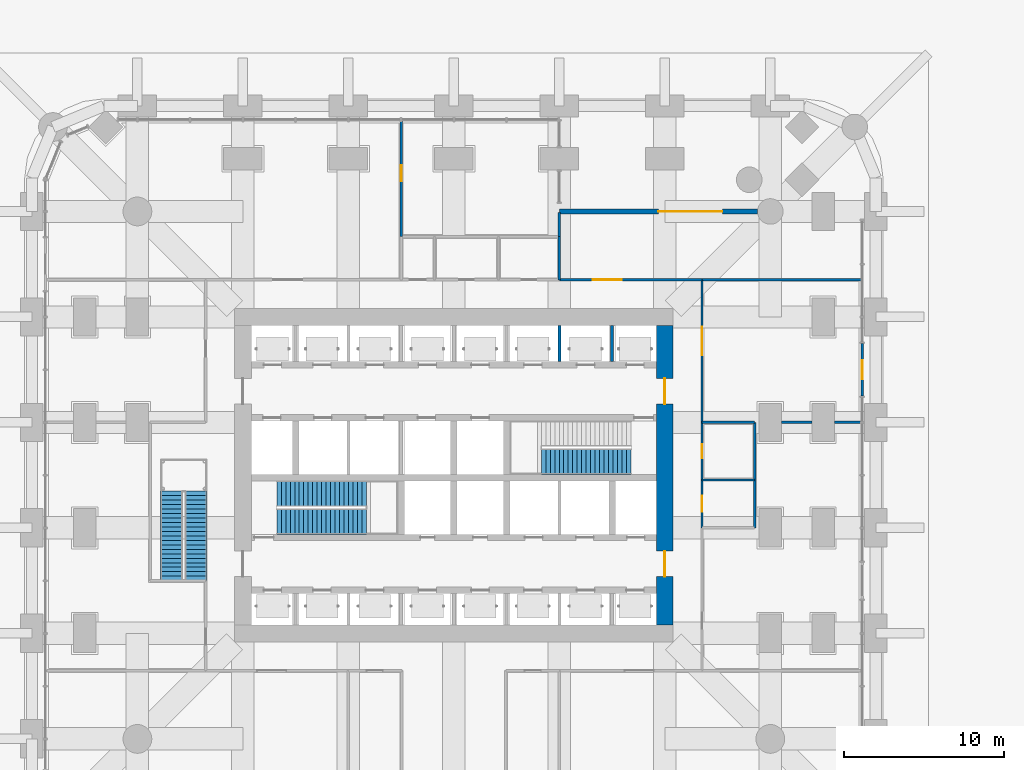
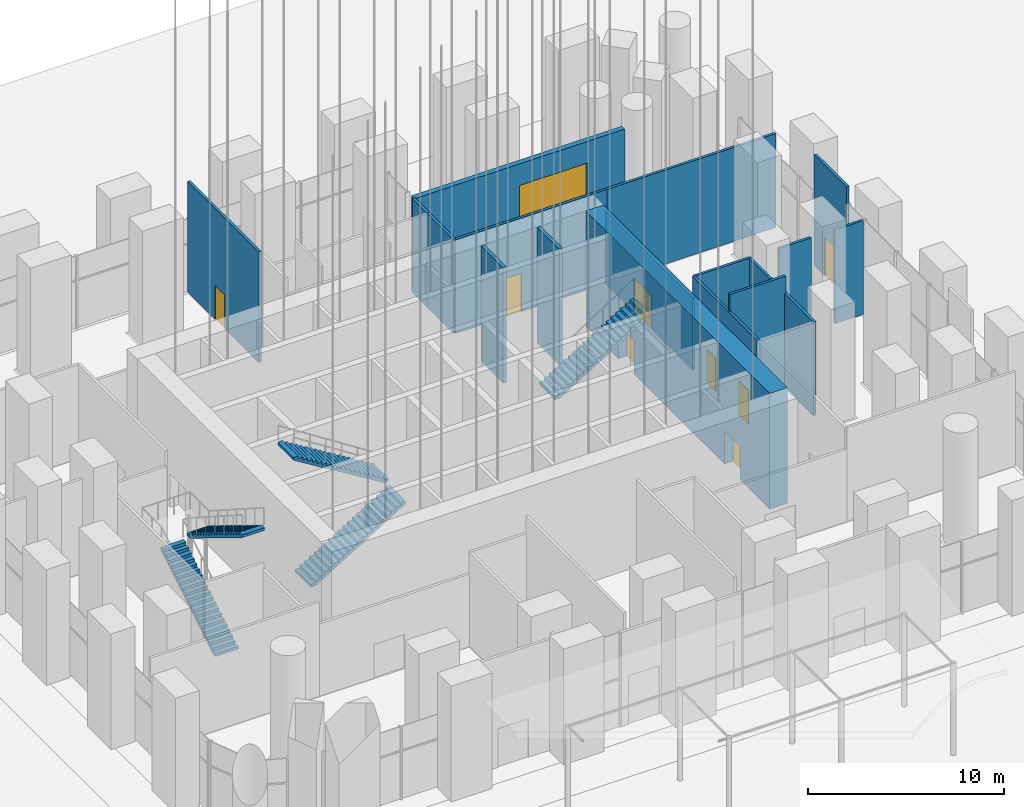
# One storey, part 17 of 32: 17 walls, 9 doors, 5 stair flights, 9 openings, 3 elements without a shape of their own.
"""IFC4 building model written with IfcOpenShell, lengths in metres."""

from ifc_helpers import new_model, si_unit, direction, frame, frame_2d, origin, place, context, subcontext, project, spatial, polyline, rectangle, outline, extrude, material, layer, layer_set, type_object, element, fill, aggregate, save


model = new_model("IFC4")

# Units and contexts
model_context = context("Model", 3, precision=1e-05, world=origin(), true_north=direction((0.0, 1.0)))
body_context = subcontext(model_context, "Body", "Model", "MODEL_VIEW")
ifc_project = project(units=[si_unit("LENGTHUNIT", "METRE"), si_unit("AREAUNIT", "SQUARE_METRE"), si_unit("VOLUMEUNIT", "CUBIC_METRE"), si_unit("PLANEANGLEUNIT", "RADIAN"), si_unit("MASSUNIT", "GRAM", prefix="KILO")], contexts=[model_context])

# Site, building, storey
site_placement = place(None, origin())
site = spatial("IfcSite", under=ifc_project, at=site_placement, CompositionType="ELEMENT")
building_placement = place(site_placement, origin())
building = spatial("IfcBuilding", under=site, at=building_placement, Name="Cobogo Forest Laboratory Tower", CompositionType="ELEMENT")
storey_placement = place(building_placement, origin())
storey = spatial("IfcBuildingStorey", under=building, at=storey_placement, Name="L00", CompositionType="ELEMENT", Elevation=0.0)

# Wall, openings, doors
ifc_material_1 = material(Name="Concrete HA-50 (C50/60)", Category="concrete")
ifc_layer_1 = layer(ifc_material_1, 1.050048828125)
ifc_layer_set_1 = layer_set([ifc_layer_1], Name="CW1050 core outer wall 1050")
wall_type_1 = type_object("IfcWallType", Name="CW1050 core outer wall 1050", PredefinedType="SHEAR", material=ifc_layer_set_1)
wall_1_placement = place(storey_placement, frame((39.60009765625, 13.72509765625, 0.0), z_axis=(0.0, 0.0, 1.0), x_axis=(0.0, 1.0, 0.0)))
wall_1 = element("IfcWall", 1, at=wall_1_placement, inside=storey, type_object=wall_type_1, Name="Core wall CO-E L00", PredefinedType="SHEAR", context=body_context, shape_type="SweptSolid", body=[
    extrude(rectangle(XDim=18.75, YDim=1.050048828125, at=frame_2d((9.375, 0.0))), origin(), (0.0, 0.0, 1.0), 7.199951171875),
])
opening_1_placement = place(wall_1_placement, frame((3.02490234375, 0.0, 0.0)))
opening_1 = element("IfcOpeningElement", 2, at=opening_1_placement, cuts=wall_1, Name="Opening L00-D13", PredefinedType="OPENING", context=body_context, shape_type="SweptSolid", body=[
    extrude(rectangle(XDim=1.60009765625, YDim=2.10009765625, at=frame_2d((0.800048828125, 1.050048828125))), frame((0.0, 0.534912109375, 0.0), z_axis=(0.0, -1.0, 0.0), x_axis=(1.0, 0.0, 0.0)), (0.0, 0.0, 1.0), 1.070068359375),
])
opening_2_placement = place(wall_1_placement, frame((13.824951171875, 0.0, 0.0)))
opening_2 = element("IfcOpeningElement", 3, at=opening_2_placement, cuts=wall_1, Name="Opening L00-D21", PredefinedType="OPENING", context=body_context, shape_type="SweptSolid", body=[
    extrude(rectangle(XDim=1.60009765625, YDim=2.10009765625, at=frame_2d((0.800048828125, 1.050048828125))), frame((0.0, 0.534912109375, 0.0), z_axis=(0.0, -1.0, 0.0), x_axis=(1.0, 0.0, 0.0)), (0.0, 0.0, 1.0), 1.070068359375),
])
ifc_material_2 = material(Name="Steel fire door", Category="steel")
door_type_1 = type_object("IfcDoorType", Name="DS2 protected lobby door pair 1600 EI2 60", OperationType="DOUBLE_DOOR_DOUBLE_SWING", PredefinedType="DOOR", material=ifc_material_2)
door_1_placement = place(opening_1_placement, origin())
door_1 = element("IfcDoor", 4, at=door_1_placement, inside=storey, type_object=door_type_1, Name="Door L00-CO-E-S", OperationType="DOUBLE_DOOR_DOUBLE_SWING", OverallHeight=2.10009765625, OverallWidth=1.60009765625, PredefinedType="DOOR", context=body_context, shape_type="SweptSolid", body=[
    extrude(rectangle(XDim=1.60009765625, YDim=2.10009765625, at=frame_2d((0.800048828125, 1.050048828125))), frame((0.0, 0.02490234375, 0.0), z_axis=(0.0, -1.0, 0.0), x_axis=(1.0, 0.0, 0.0)), (0.0, 0.0, 1.0), 0.050048828125),
])
fill(opening_1, door_1)
door_2_placement = place(opening_2_placement, origin())
door_2 = element("IfcDoor", 5, at=door_2_placement, inside=storey, type_object=door_type_1, Name="Door L00-CO-E-N", OperationType="DOUBLE_DOOR_DOUBLE_SWING", OverallHeight=2.10009765625, OverallWidth=1.60009765625, PredefinedType="DOOR", context=body_context, shape_type="SweptSolid", body=[
    extrude(rectangle(XDim=1.60009765625, YDim=2.10009765625, at=frame_2d((0.800048828125, 1.050048828125))), frame((0.0, 0.02490234375, 0.0), z_axis=(0.0, -1.0, 0.0), x_axis=(1.0, 0.0, 0.0)), (0.0, 0.0, 1.0), 0.050048828125),
])
fill(opening_2, door_2)

# Wall, opening, door
ifc_material_3 = material(Name="Precast concrete cladding", Category="concrete")
ifc_layer_2 = layer(ifc_material_3, 0.300048828125)
ifc_layer_set_2 = layer_set([ifc_layer_2], Name="EW1 loading dock wall 300")
wall_type_2 = type_object("IfcWallType", Name="EW1 loading dock wall 300", PredefinedType="SOLIDWALL", material=ifc_layer_set_2)
wall_2_placement = place(storey_placement, frame((33.0, 39.60009765625, 0.0), z_axis=(0.0, 0.0, 1.0), x_axis=(1.0, 0.0, 0.0)))
wall_2 = element("IfcWall", 6, at=wall_2_placement, inside=storey, type_object=wall_type_2, Name="Loading bay wall", PredefinedType="SOLIDWALL", context=body_context, shape_type="SweptSolid", body=[
    extrude(rectangle(XDim=12.39990234375, YDim=0.300048828125, at=frame_2d((6.199951171875, 0.0))), origin(), (0.0, 0.0, 1.0), 5.85009765625),
])
opening_3_placement = place(wall_2_placement, frame((6.199951171875, 0.0, 0.0)))
opening_3 = element("IfcOpeningElement", 7, at=opening_3_placement, cuts=wall_2, Name="Opening L00-D31", PredefinedType="OPENING", context=body_context, shape_type="SweptSolid", body=[
    extrude(rectangle(XDim=4.0, YDim=4.5, at=frame_2d((2.0, 2.25))), frame((0.0, 0.159912109375, 0.0), z_axis=(0.0, -1.0, 0.0), x_axis=(1.0, 0.0, 0.0)), (0.0, 0.0, 1.0), 0.320068359375),
])
ifc_material_4 = material(Name="Steel sectional door", Category="steel")
door_type_2 = type_object("IfcDoorType", Name="GD1 loading dock sectional door 4000", OperationType="ROLLINGUP", PredefinedType="DOOR", material=ifc_material_4)
door_3_placement = place(opening_3_placement, origin())
door_3 = element("IfcDoor", 8, at=door_3_placement, inside=storey, type_object=door_type_2, Name="Door L00-DOCK-1", OperationType="ROLLINGUP", OverallHeight=4.5, OverallWidth=4.0, PredefinedType="DOOR", context=body_context, shape_type="SweptSolid", body=[
    extrude(rectangle(XDim=4.0, YDim=4.5, at=frame_2d((2.0, 2.25))), frame((0.0, 0.02490234375, 0.0), z_axis=(0.0, -1.0, 0.0), x_axis=(1.0, 0.0, 0.0)), (0.0, 0.0, 1.0), 0.050048828125),
])
fill(opening_3, door_3)

ifc_material_5 = material(Name="Aluminium framed glazed screen", Category="aluminium")
ifc_layer_3 = layer(ifc_material_5, 0.14990234375)
ifc_layer_set_3 = layer_set([ifc_layer_3], Name="GS1 glazed door screen 150")
wall_type_3 = type_object("IfcWallType", Name="GS1 glazed door screen 150", PredefinedType="SOLIDWALL", material=ifc_layer_set_3)
wall_3_placement = place(storey_placement, frame((51.949951171875, 28.050048828125, 0.0), z_axis=(0.0, 0.0, 1.0), x_axis=(0.0, 1.0, 0.0)))
wall_3 = element("IfcWall", 9, at=wall_3_placement, inside=storey, type_object=wall_type_3, Name="Entrance glazed screen EXE", PredefinedType="SOLIDWALL", context=body_context, shape_type="SweptSolid", body=[
    extrude(rectangle(XDim=3.300048828125, YDim=0.14990234375, at=frame_2d((1.64990234375, 0.0))), origin(), (0.0, 0.0, 1.0), 6.89990234375),
])
opening_4_placement = place(wall_3_placement, frame((1.050048828125, 0.0, 0.0)))
opening_4 = element("IfcOpeningElement", 10, at=opening_4_placement, cuts=wall_3, Name="Opening L00-D22", PredefinedType="OPENING", context=body_context, shape_type="SweptSolid", body=[
    extrude(rectangle(XDim=1.199951171875, YDim=2.39990234375, at=frame_2d((0.60009765625, 1.199951171875))), frame((0.0, 0.0849609375, 0.0), z_axis=(0.0, -1.0, 0.0), x_axis=(1.0, 0.0, 0.0)), (0.0, 0.0, 1.0), 0.169921875),
])
ifc_material_6 = material(Name="Aluminium glazed door", Category="aluminium")
door_type_3 = type_object("IfcDoorType", Name="ED2 exit door 1200 glazed", OperationType="SINGLE_SWING_LEFT", PredefinedType="DOOR", material=ifc_material_6)
door_4_placement = place(opening_4_placement, origin())
door_4 = element("IfcDoor", 11, at=door_4_placement, inside=storey, type_object=door_type_3, Name="Door L00-EXE-1", OperationType="SINGLE_SWING_RIGHT", OverallHeight=2.39990234375, OverallWidth=1.199951171875, PredefinedType="DOOR", context=body_context, shape_type="SweptSolid", body=[
    extrude(rectangle(XDim=1.199951171875, YDim=2.39990234375, at=frame_2d((0.60009765625, 1.199951171875))), frame((0.0, 0.02490234375, 0.0), z_axis=(0.0, -1.0, 0.0), x_axis=(1.0, 0.0, 0.0)), (0.0, 0.0, 1.0), 0.050048828125),
])
fill(opening_4, door_4)

# Wall, openings, doors
ifc_material_7 = material(Name="Gypsum board on steel studs", Category="steel")
ifc_layer_4 = layer(ifc_material_7, 0.14990234375)
ifc_layer_set_4 = layer_set([ifc_layer_4], Name="PT1 laboratory partition 150")
wall_type_4 = type_object("IfcWallType", Name="PT1 laboratory partition 150", PredefinedType="PARTITIONING", material=ifc_layer_set_4)
wall_4_placement = place(storey_placement, frame((41.925048828125, 19.800048828125, 0.0), z_axis=(0.0, 0.0, 1.0), x_axis=(0.0, 1.0, 0.0)))
wall_4 = element("IfcWall", 12, at=wall_4_placement, inside=storey, type_object=wall_type_4, Name="Partition POD-ELEC-W-1 L00", PredefinedType="PARTITIONING", context=body_context, shape_type="SweptSolid", body=[
    extrude(rectangle(XDim=6.599853515625, YDim=0.14990234375, at=frame_2d((3.2998046875, 0.0))), origin(), (0.0, 0.0, 1.0), 5.85009765625),
])
opening_5_placement = place(wall_4_placement, frame((1.0, 0.0, 0.0)))
opening_5 = element("IfcOpeningElement", 13, at=opening_5_placement, cuts=wall_4, Name="Opening L00-D17", PredefinedType="OPENING", context=body_context, shape_type="SweptSolid", body=[
    extrude(rectangle(XDim=1.0, YDim=2.10009765625, at=frame_2d((0.5, 1.050048828125))), frame((0.0, 0.0849609375, 0.0), z_axis=(0.0, -1.0, 0.0), x_axis=(1.0, 0.0, 0.0)), (0.0, 0.0, 1.0), 0.169921875),
])
opening_6_placement = place(wall_4_placement, frame((4.35009765625, 0.0, 0.0)))
opening_6 = element("IfcOpeningElement", 14, at=opening_6_placement, cuts=wall_4, Name="Opening L00-D18", PredefinedType="OPENING", context=body_context, shape_type="SweptSolid", body=[
    extrude(rectangle(XDim=0.89990234375, YDim=2.10009765625, at=frame_2d((0.449951171875, 1.050048828125))), frame((0.0, 0.0849609375, 0.0), z_axis=(0.0, -1.0, 0.0), x_axis=(1.0, 0.0, 0.0)), (0.0, 0.0, 1.0), 0.169921875),
])
door_type_4 = type_object("IfcDoorType", Name="FD1 fire door 1000 EI2 60", OperationType="SINGLE_SWING_LEFT", PredefinedType="DOOR", material=ifc_material_2)
door_5_placement = place(opening_5_placement, origin())
door_5 = element("IfcDoor", 15, at=door_5_placement, inside=storey, type_object=door_type_4, Name="Door L00-ELEC", OperationType="SINGLE_SWING_LEFT", OverallHeight=2.10009765625, OverallWidth=1.0, PredefinedType="DOOR", context=body_context, shape_type="SweptSolid", body=[
    extrude(rectangle(XDim=1.0, YDim=2.10009765625, at=frame_2d((0.5, 1.050048828125))), frame((0.0, 0.02490234375, 0.0), z_axis=(0.0, -1.0, 0.0), x_axis=(1.0, 0.0, 0.0)), (0.0, 0.0, 1.0), 0.050048828125),
])
fill(opening_5, door_5)
door_type_5 = type_object("IfcDoorType", Name="FD4 riser access door 900 EI2 60", OperationType="SINGLE_SWING_LEFT", PredefinedType="DOOR", material=ifc_material_2)
door_6_placement = place(opening_6_placement, origin())
door_6 = element("IfcDoor", 16, at=door_6_placement, inside=storey, type_object=door_type_5, Name="Door L00-COMMS", OperationType="SINGLE_SWING_RIGHT", OverallHeight=2.10009765625, OverallWidth=0.89990234375, PredefinedType="DOOR", context=body_context, shape_type="SweptSolid", body=[
    extrude(rectangle(XDim=0.89990234375, YDim=2.10009765625, at=frame_2d((0.449951171875, 1.050048828125))), frame((0.0, 0.02490234375, 0.0), z_axis=(0.0, -1.0, 0.0), x_axis=(1.0, 0.0, 0.0)), (0.0, 0.0, 1.0), 0.050048828125),
])
fill(opening_6, door_6)

# Wall
wall_5_placement = place(storey_placement, frame((41.925048828125, 22.800048828125, 0.0), z_axis=(0.0, 0.0, 1.0), x_axis=(1.0, 0.0, 0.0)))
element("IfcWall", 17, at=wall_5_placement, inside=storey, type_object=wall_type_4, Name="Partition POD-ELEC-1-1 L00", PredefinedType="PARTITIONING", context=body_context, shape_type="SweptSolid", body=[
    extrude(rectangle(XDim=3.300048828125, YDim=0.14990234375, at=frame_2d((1.64990234375, 0.0))), origin(), (0.0, 0.0, 1.0), 6.89990234375),
])

# Wall, opening, door
wall_6_placement = place(storey_placement, frame((23.10009765625, 45.27001953125, 0.0), z_axis=(0.0, 0.0, 1.0), x_axis=(0.0, -1.0, 0.0)))
wall_6 = element("IfcWall", 18, at=wall_6_placement, inside=storey, type_object=wall_type_4, Name="Partition L00-P16-1 L00", PredefinedType="PARTITIONING", context=body_context, shape_type="SweptSolid", body=[
    extrude(rectangle(XDim=7.2451171875, YDim=0.14990234375, at=frame_2d((3.62255859375, 0.0))), origin(), (0.0, 0.0, 1.0), 6.89990234375),
])
opening_7_placement = place(wall_6_placement, frame((2.77001953125, 0.0, 0.0)))
opening_7 = element("IfcOpeningElement", 19, at=opening_7_placement, cuts=wall_6, Name="Opening L00-D32", PredefinedType="OPENING", context=body_context, shape_type="SweptSolid", body=[
    extrude(rectangle(XDim=1.0, YDim=2.10009765625, at=frame_2d((0.5, 1.050048828125))), frame((0.0, 0.0849609375, 0.0), z_axis=(0.0, -1.0, 0.0), x_axis=(1.0, 0.0, 0.0)), (0.0, 0.0, 1.0), 0.169921875),
])
ifc_material_8 = material(Name="Timber fire door", Category="wood")
door_type_6 = type_object("IfcDoorType", Name="FD2 fire door 1000 EI2 30", OperationType="SINGLE_SWING_LEFT", PredefinedType="DOOR", material=ifc_material_8)
door_7_placement = place(opening_7_placement, origin())
door_7 = element("IfcDoor", 20, at=door_7_placement, inside=storey, type_object=door_type_6, Name="Door L00-KIT", OperationType="SINGLE_SWING_LEFT", OverallHeight=2.10009765625, OverallWidth=1.0, PredefinedType="DOOR", context=body_context, shape_type="SweptSolid", body=[
    extrude(rectangle(XDim=1.0, YDim=2.10009765625, at=frame_2d((0.5, 1.050048828125))), frame((0.0, 0.02490234375, 0.0), z_axis=(0.0, -1.0, 0.0), x_axis=(1.0, 0.0, 0.0)), (0.0, 0.0, 1.0), 0.050048828125),
])
fill(opening_7, door_7)

# Wall
wall_7_placement = place(storey_placement, frame((33.0, 39.52001953125, 0.0), z_axis=(0.0, 0.0, 1.0), x_axis=(0.0, -1.0, 0.0)))
element("IfcWall", 21, at=wall_7_placement, inside=storey, type_object=wall_type_4, Name="Partition L00-P21-1 L00", PredefinedType="PARTITIONING", context=body_context, shape_type="SweptSolid", body=[
    extrude(rectangle(XDim=1.4951171875, YDim=0.14990234375, at=frame_2d((0.74755859375, 0.0))), origin(), (0.0, 0.0, 1.0), 5.85009765625),
])

# Wall, opening, door
wall_8_placement = place(storey_placement, frame((41.925048828125, 35.324951171875, 0.0), z_axis=(0.0, 0.0, 1.0), x_axis=(-1.0, 0.0, 0.0)))
wall_8 = element("IfcWall", 22, at=wall_8_placement, inside=storey, type_object=wall_type_4, Name="Partition L00-P22-1 L00", PredefinedType="PARTITIONING", context=body_context, shape_type="SweptSolid", body=[
    extrude(rectangle(XDim=8.925048828125, YDim=0.14990234375, at=frame_2d((4.46240234375, 0.0))), origin(), (0.0, 0.0, 1.0), 5.85009765625),
])
opening_8_placement = place(wall_8_placement, frame((5.02490234375, 0.0, 0.0)))
opening_8 = element("IfcOpeningElement", 23, at=opening_8_placement, cuts=wall_8, Name="Opening L00-D29", PredefinedType="OPENING", context=body_context, shape_type="SweptSolid", body=[
    extrude(rectangle(XDim=1.800048828125, YDim=2.39990234375, at=frame_2d((0.89990234375, 1.199951171875))), frame((0.0, 0.0849609375, 0.0), z_axis=(0.0, -1.0, 0.0), x_axis=(1.0, 0.0, 0.0)), (0.0, 0.0, 1.0), 0.169921875),
])
door_type_7 = type_object("IfcDoorType", Name="PD1 plant door pair 1800 EI2 60", OperationType="DOUBLE_DOOR_SINGLE_SWING", PredefinedType="DOOR", material=ifc_material_2)
door_8_placement = place(opening_8_placement, origin())
door_8 = element("IfcDoor", 24, at=door_8_placement, inside=storey, type_object=door_type_7, Name="Door L00-GOODS", OperationType="DOUBLE_DOOR_SINGLE_SWING", OverallHeight=2.39990234375, OverallWidth=1.800048828125, PredefinedType="DOOR", context=body_context, shape_type="SweptSolid", body=[
    extrude(rectangle(XDim=1.800048828125, YDim=2.39990234375, at=frame_2d((0.89990234375, 1.199951171875))), frame((0.0, 0.02490234375, 0.0), z_axis=(0.0, -1.0, 0.0), x_axis=(1.0, 0.0, 0.0)), (0.0, 0.0, 1.0), 0.050048828125),
])
fill(opening_8, door_8)

# Walls
wall_9_placement = place(storey_placement, frame((33.0, 35.324951171875, 0.0), z_axis=(0.0, 0.0, 1.0), x_axis=(0.0, 1.0, 0.0)))
element("IfcWall", 25, at=wall_9_placement, inside=storey, type_object=wall_type_4, Name="Partition L00-P23-1 L00", PredefinedType="PARTITIONING", context=body_context, shape_type="SweptSolid", body=[
    extrude(rectangle(XDim=2.699951171875, YDim=0.14990234375, at=frame_2d((1.35009765625, 0.0))), origin(), (0.0, 0.0, 1.0), 5.85009765625),
])
wall_10_placement = place(storey_placement, frame((45.22509765625, 19.800048828125, 0.0), z_axis=(0.0, 0.0, 1.0), x_axis=(0.0, 1.0, 0.0)))
element("IfcWall", 26, at=wall_10_placement, inside=storey, type_object=wall_type_4, Name="Partition L00-P27-1 L00", PredefinedType="PARTITIONING", context=body_context, shape_type="SweptSolid", body=[
    extrude(rectangle(XDim=6.599853515625, YDim=0.14990234375, at=frame_2d((3.2998046875, 0.0))), origin(), (0.0, 0.0, 1.0), 5.85009765625),
])
wall_11_placement = place(storey_placement, frame((51.8701171875, 35.324951171875, 0.0), z_axis=(0.0, 0.0, 1.0), x_axis=(-1.0, 0.0, 0.0)))
element("IfcWall", 27, at=wall_11_placement, inside=storey, type_object=wall_type_4, Name="Partition L00-P28-1 L00", PredefinedType="PARTITIONING", context=body_context, shape_type="SweptSolid", body=[
    extrude(rectangle(XDim=9.945068359375, YDim=0.14990234375, at=frame_2d((4.97265625, 0.0))), origin(), (0.0, 0.0, 1.0), 5.85009765625),
])
wall_12_placement = place(storey_placement, frame((45.22509765625, 26.39990234375, 0.0), z_axis=(0.0, 0.0, 1.0), x_axis=(-1.0, 0.0, 0.0)))
element("IfcWall", 28, at=wall_12_placement, inside=storey, type_object=wall_type_4, Name="Partition L00-P29-1 L00", PredefinedType="PARTITIONING", context=body_context, shape_type="SweptSolid", body=[
    extrude(rectangle(XDim=3.300048828125, YDim=0.14990234375, at=frame_2d((1.64990234375, 0.0))), origin(), (0.0, 0.0, 1.0), 5.85009765625),
])

# Wall, opening, door
wall_13_placement = place(storey_placement, frame((41.925048828125, 26.39990234375, 0.0), z_axis=(0.0, 0.0, 1.0), x_axis=(0.0, 1.0, 0.0)))
wall_13 = element("IfcWall", 29, at=wall_13_placement, inside=storey, type_object=wall_type_4, Name="Partition L00-P30-1 L00", PredefinedType="PARTITIONING", context=body_context, shape_type="SweptSolid", body=[
    extrude(rectangle(XDim=8.925048828125, YDim=0.14990234375, at=frame_2d((4.46240234375, 0.0))), origin(), (0.0, 0.0, 1.0), 4.5),
])
opening_9_placement = place(wall_13_placement, frame((4.199951171875, 0.0, 0.0)))
opening_9 = element("IfcOpeningElement", 30, at=opening_9_placement, cuts=wall_13, Name="Opening L00-D24", PredefinedType="OPENING", context=body_context, shape_type="SweptSolid", body=[
    extrude(rectangle(XDim=1.800048828125, YDim=2.10009765625, at=frame_2d((0.89990234375, 1.050048828125))), frame((0.0, 0.0849609375, 0.0), z_axis=(0.0, -1.0, 0.0), x_axis=(1.0, 0.0, 0.0)), (0.0, 0.0, 1.0), 0.169921875),
])
door_type_8 = type_object("IfcDoorType", Name="FD5 assembly room fire door pair 1800 EI2 30", OperationType="DOUBLE_DOOR_DOUBLE_SWING", PredefinedType="DOOR", material=ifc_material_8)
door_9_placement = place(opening_9_placement, origin())
door_9 = element("IfcDoor", 31, at=door_9_placement, inside=storey, type_object=door_type_8, Name="Door L00-SEM", OperationType="DOUBLE_DOOR_DOUBLE_SWING", OverallHeight=2.10009765625, OverallWidth=1.800048828125, PredefinedType="DOOR", context=body_context, shape_type="SweptSolid", body=[
    extrude(rectangle(XDim=1.800048828125, YDim=2.10009765625, at=frame_2d((0.89990234375, 1.050048828125))), frame((0.0, 0.02490234375, 0.0), z_axis=(0.0, -1.0, 0.0), x_axis=(1.0, 0.0, 0.0)), (0.0, 0.0, 1.0), 0.050048828125),
])
fill(opening_9, door_9)

# Walls
wall_14_placement = place(storey_placement, frame((46.89990234375, 26.39990234375, 0.0), z_axis=(0.0, 0.0, 1.0), x_axis=(1.0, 0.0, 0.0)))
element("IfcWall", 32, at=wall_14_placement, inside=storey, type_object=wall_type_4, Name="Partition L00-P31-1 L00", PredefinedType="PARTITIONING", context=body_context, shape_type="SweptSolid", body=[
    extrude(rectangle(XDim=1.900146484375, YDim=0.14990234375, at=frame_2d((0.9501953125, 0.0))), origin(), (0.0, 0.0, 1.0), 5.85009765625),
])
wall_15_placement = place(storey_placement, frame((50.199951171875, 26.39990234375, 0.0), z_axis=(0.0, 0.0, 1.0), x_axis=(1.0, 0.0, 0.0)))
element("IfcWall", 33, at=wall_15_placement, inside=storey, type_object=wall_type_4, Name="Partition L00-P31-2 L00", PredefinedType="PARTITIONING", context=body_context, shape_type="SweptSolid", body=[
    extrude(rectangle(XDim=1.670166015625, YDim=0.14990234375, at=frame_2d((0.8349609375, 0.0))), origin(), (0.0, 0.0, 1.0), 5.85009765625),
])
ifc_material_9 = material(Name="Concrete block", Category="concrete")
ifc_layer_5 = layer(ifc_material_9, 0.199951171875)
ifc_layer_set_5 = layer_set([ifc_layer_5], Name="SW200 lift shaft separator 200")
wall_type_5 = type_object("IfcWallType", Name="SW200 lift shaft separator 200", PredefinedType="PARTITIONING", material=ifc_layer_set_5)
for number, where, z_axis, x_axis, name in (
    (34, (33.0, 30.199951171875, 0.0), (0.0, 0.0, 1.0), (0.0, 1.0, 0.0), "Core wall SEP-N6 L00"),
    (35, (36.300048828125, 30.199951171875, 0.0), (0.0, 0.0, 1.0), (0.0, 1.0, 0.0), "Core wall SEP-N7 L00"),
):
    element("IfcWall", number, at=place(storey_placement, frame(where, z_axis=z_axis, x_axis=x_axis)), inside=storey, type_object=wall_type_5, Name=name, PredefinedType="PARTITIONING", context=body_context, shape_type="SweptSolid", body=[
        extrude(rectangle(XDim=2.275146484375, YDim=0.199951171875, at=frame_2d((1.1376953125, 0.0))), origin(), (0.0, 0.0, 1.0), 7.199951171875),
    ])

# Stair, stair flights
ifc_material_10 = material(Name="Cast-in-place concrete HA-40 (C40/50)", Category="concrete")
stair_type_1 = type_object("IfcStairType", Name="FST1 feature stair 42 risers", PredefinedType="HALF_TURN_STAIR", material=ifc_material_10)
stair_1_placement = place(storey_placement, origin())
stair_1 = element("IfcStair", 36, at=stair_1_placement, inside=storey, type_object=stair_type_1, Name="Feature stair FST1 L00 to L01", PredefinedType="HALF_TURN_STAIR")
stair_flight_type_1 = type_object("IfcStairFlightType", Name="FSF feature stair flight 1900", PredefinedType="STRAIGHT", material=ifc_material_10)
stair_flight_1_placement = place(storey_placement, frame((8.72509765625, 16.5, 0.0), z_axis=(0.0, 0.0, 1.0), x_axis=(0.0, 1.0, 0.0)))
stair_flight_1 = element("IfcStairFlight", 37, at=stair_flight_1_placement, type_object=stair_flight_type_1, Name="FST1 flight 1", NumberOfRisers=21, NumberOfTreads=20, PredefinedType="STRAIGHT", RiserHeight=0.171428571, TreadLength=0.28, context=body_context, shape_type="SweptSolid", body=[
    extrude(outline(polyline([(0.0, 0.0), (0.0, 0.17138671875), (0.280029296875, 0.17138671875), (0.280029296875, 0.3427734375), (0.56005859375, 0.3427734375), (0.56005859375, 0.514404296875), (0.840087890625, 0.514404296875), (0.840087890625, 0.685791015625), (1.1201171875, 0.685791015625), (1.1201171875, 0.857177734375), (1.39990234375, 0.857177734375), (1.39990234375, 1.028564453125), (1.679931640625, 1.028564453125), (1.679931640625, 1.199951171875), (1.9599609375, 1.199951171875), (1.9599609375, 1.371337890625), (2.239990234375, 1.371337890625), (2.239990234375, 1.54296875), (2.52001953125, 1.54296875), (2.52001953125, 1.71435546875), (2.800048828125, 1.71435546875), (2.800048828125, 1.8857421875), (3.080078125, 1.8857421875), (3.080078125, 2.05712890625), (3.360107421875, 2.05712890625), (3.360107421875, 2.228515625), (3.639892578125, 2.228515625), (3.639892578125, 2.39990234375), (3.919921875, 2.39990234375), (3.919921875, 2.571533203125), (4.199951171875, 2.571533203125), (4.199951171875, 2.742919921875), (4.47998046875, 2.742919921875), (4.47998046875, 2.914306640625), (4.760009765625, 2.914306640625), (4.760009765625, 3.085693359375), (5.0400390625, 3.085693359375), (5.0400390625, 3.257080078125), (5.320068359375, 3.257080078125), (5.320068359375, 3.428466796875), (5.60009765625, 3.428466796875), (5.60009765625, 3.60009765625), (5.60009765625, 3.252685546875), (0.287109375, 0.0), (0.0, 0.0)])), frame((0.0, 0.675048828125, 0.0), z_axis=(0.0, -1.0, 0.0), x_axis=(1.0, 0.0, 0.0)), (0.0, 0.0, 1.0), 1.35009765625),
])
stair_flight_2_placement = place(storey_placement, frame((10.27490234375, 22.10009765625, 3.60009765625), z_axis=(0.0, 0.0, 1.0), x_axis=(0.0, -1.0, 0.0)))
stair_flight_2 = element("IfcStairFlight", 38, at=stair_flight_2_placement, type_object=stair_flight_type_1, Name="FST1 flight 2", NumberOfRisers=21, NumberOfTreads=20, PredefinedType="STRAIGHT", RiserHeight=0.171428571, TreadLength=0.28, context=body_context, shape_type="SweptSolid", body=[
    extrude(outline(polyline([(0.0, 0.0), (0.0, 0.17138671875), (0.280029296875, 0.17138671875), (0.280029296875, 0.3427734375), (0.56005859375, 0.3427734375), (0.56005859375, 0.514404296875), (0.840087890625, 0.514404296875), (0.840087890625, 0.685791015625), (1.1201171875, 0.685791015625), (1.1201171875, 0.857177734375), (1.39990234375, 0.857177734375), (1.39990234375, 1.028564453125), (1.679931640625, 1.028564453125), (1.679931640625, 1.199951171875), (1.9599609375, 1.199951171875), (1.9599609375, 1.371337890625), (2.239990234375, 1.371337890625), (2.239990234375, 1.54296875), (2.52001953125, 1.54296875), (2.52001953125, 1.71435546875), (2.800048828125, 1.71435546875), (2.800048828125, 1.8857421875), (3.080078125, 1.8857421875), (3.080078125, 2.05712890625), (3.360107421875, 2.05712890625), (3.360107421875, 2.228515625), (3.639892578125, 2.228515625), (3.639892578125, 2.39990234375), (3.919921875, 2.39990234375), (3.919921875, 2.571533203125), (4.199951171875, 2.571533203125), (4.199951171875, 2.742919921875), (4.47998046875, 2.742919921875), (4.47998046875, 2.914306640625), (4.760009765625, 2.914306640625), (4.760009765625, 3.085693359375), (5.0400390625, 3.085693359375), (5.0400390625, 3.257080078125), (5.320068359375, 3.257080078125), (5.320068359375, 3.428466796875), (5.60009765625, 3.428466796875), (5.60009765625, 3.60009765625), (5.60009765625, 3.252685546875), (0.287109375, 0.0), (0.0, 0.0)])), frame((0.0, 0.675048828125, 0.0), z_axis=(0.0, -1.0, 0.0), x_axis=(1.0, 0.0, 0.0)), (0.0, 0.0, 1.0), 1.35009765625),
])
aggregate(stair_1, [stair_flight_1, stair_flight_2])

ifc_material_11 = material(Name="Precast concrete HA-40 (C40/50)", Category="concrete")
stair_type_2 = type_object("IfcStairType", Name="ST42 exit stair 42 risers", PredefinedType="HALF_TURN_STAIR", material=ifc_material_11)
stair_2_placement = place(storey_placement, origin())
stair_2 = element("IfcStair", 39, at=stair_2_placement, inside=storey, type_object=stair_type_2, Name="Stair 1 L00 to L01", PredefinedType="HALF_TURN_STAIR")
stair_flight_type_2 = type_object("IfcStairFlightType", Name="ST stair flight 280 going", PredefinedType="STRAIGHT", material=ifc_material_11)
stair_flight_3_placement = place(storey_placement, frame((15.324951171875, 20.199951171875, 0.0), z_axis=(0.0, 0.0, 1.0), x_axis=(1.0, 0.0, 0.0)))
stair_flight_3 = element("IfcStairFlight", 40, at=stair_flight_3_placement, type_object=stair_flight_type_2, Name="ST1 flight 1", NumberOfRisers=21, NumberOfTreads=20, PredefinedType="STRAIGHT", RiserHeight=0.171428571, TreadLength=0.28, context=body_context, shape_type="SweptSolid", body=[
    extrude(outline(polyline([(0.0, 0.0), (0.0, 0.17138671875), (0.280029296875, 0.17138671875), (0.280029296875, 0.3427734375), (0.56005859375, 0.3427734375), (0.56005859375, 0.514404296875), (0.840087890625, 0.514404296875), (0.840087890625, 0.685791015625), (1.1201171875, 0.685791015625), (1.1201171875, 0.857177734375), (1.39990234375, 0.857177734375), (1.39990234375, 1.028564453125), (1.679931640625, 1.028564453125), (1.679931640625, 1.199951171875), (1.9599609375, 1.199951171875), (1.9599609375, 1.371337890625), (2.239990234375, 1.371337890625), (2.239990234375, 1.54296875), (2.52001953125, 1.54296875), (2.52001953125, 1.71435546875), (2.800048828125, 1.71435546875), (2.800048828125, 1.8857421875), (3.080078125, 1.8857421875), (3.080078125, 2.05712890625), (3.360107421875, 2.05712890625), (3.360107421875, 2.228515625), (3.639892578125, 2.228515625), (3.639892578125, 2.39990234375), (3.919921875, 2.39990234375), (3.919921875, 2.571533203125), (4.199951171875, 2.571533203125), (4.199951171875, 2.742919921875), (4.47998046875, 2.742919921875), (4.47998046875, 2.914306640625), (4.760009765625, 2.914306640625), (4.760009765625, 3.085693359375), (5.0400390625, 3.085693359375), (5.0400390625, 3.257080078125), (5.320068359375, 3.257080078125), (5.320068359375, 3.428466796875), (5.60009765625, 3.428466796875), (5.60009765625, 3.60009765625), (5.60009765625, 3.252685546875), (0.287109375, 0.0), (0.0, 0.0)])), frame((0.0, 0.800048828125, 0.0), z_axis=(0.0, -1.0, 0.0), x_axis=(1.0, 0.0, 0.0)), (0.0, 0.0, 1.0), 1.60009765625),
])
stair_flight_4_placement = place(storey_placement, frame((20.925048828125, 21.949951171875, 3.60009765625), z_axis=(0.0, 0.0, 1.0), x_axis=(-1.0, 0.0, 0.0)))
stair_flight_4 = element("IfcStairFlight", 41, at=stair_flight_4_placement, type_object=stair_flight_type_2, Name="ST1 flight 2", NumberOfRisers=21, NumberOfTreads=20, PredefinedType="STRAIGHT", RiserHeight=0.171428571, TreadLength=0.28, context=body_context, shape_type="SweptSolid", body=[
    extrude(outline(polyline([(0.0, 0.0), (0.0, 0.17138671875), (0.280029296875, 0.17138671875), (0.280029296875, 0.3427734375), (0.56005859375, 0.3427734375), (0.56005859375, 0.514404296875), (0.840087890625, 0.514404296875), (0.840087890625, 0.685791015625), (1.1201171875, 0.685791015625), (1.1201171875, 0.857177734375), (1.39990234375, 0.857177734375), (1.39990234375, 1.028564453125), (1.679931640625, 1.028564453125), (1.679931640625, 1.199951171875), (1.9599609375, 1.199951171875), (1.9599609375, 1.371337890625), (2.239990234375, 1.371337890625), (2.239990234375, 1.54296875), (2.52001953125, 1.54296875), (2.52001953125, 1.71435546875), (2.800048828125, 1.71435546875), (2.800048828125, 1.8857421875), (3.080078125, 1.8857421875), (3.080078125, 2.05712890625), (3.360107421875, 2.05712890625), (3.360107421875, 2.228515625), (3.639892578125, 2.228515625), (3.639892578125, 2.39990234375), (3.919921875, 2.39990234375), (3.919921875, 2.571533203125), (4.199951171875, 2.571533203125), (4.199951171875, 2.742919921875), (4.47998046875, 2.742919921875), (4.47998046875, 2.914306640625), (4.760009765625, 2.914306640625), (4.760009765625, 3.085693359375), (5.0400390625, 3.085693359375), (5.0400390625, 3.257080078125), (5.320068359375, 3.257080078125), (5.320068359375, 3.428466796875), (5.60009765625, 3.428466796875), (5.60009765625, 3.60009765625), (5.60009765625, 3.252685546875), (0.287109375, 0.0), (0.0, 0.0)])), frame((0.0, 0.800048828125, 0.0), z_axis=(0.0, -1.0, 0.0), x_axis=(1.0, 0.0, 0.0)), (0.0, 0.0, 1.0), 1.60009765625),
])
aggregate(stair_2, [stair_flight_3, stair_flight_4])

# Stair, stair flight
stair_3_placement = place(storey_placement, origin())
stair_3 = element("IfcStair", 42, at=stair_3_placement, inside=storey, type_object=stair_type_2, Name="Stair 2 L00 to L01", PredefinedType="HALF_TURN_STAIR")
stair_flight_5_placement = place(storey_placement, frame((31.875, 23.949951171875, 3.60009765625), z_axis=(0.0, 0.0, 1.0), x_axis=(1.0, 0.0, 0.0)))
stair_flight_5 = element("IfcStairFlight", 43, at=stair_flight_5_placement, type_object=stair_flight_type_2, Name="ST2 flight 2", NumberOfRisers=21, NumberOfTreads=20, PredefinedType="STRAIGHT", RiserHeight=0.171428571, TreadLength=0.28, context=body_context, shape_type="SweptSolid", body=[
    extrude(outline(polyline([(0.0, 0.0), (0.0, 0.17138671875), (0.280029296875, 0.17138671875), (0.280029296875, 0.3427734375), (0.56005859375, 0.3427734375), (0.56005859375, 0.514404296875), (0.840087890625, 0.514404296875), (0.840087890625, 0.685791015625), (1.1201171875, 0.685791015625), (1.1201171875, 0.857177734375), (1.39990234375, 0.857177734375), (1.39990234375, 1.028564453125), (1.679931640625, 1.028564453125), (1.679931640625, 1.199951171875), (1.9599609375, 1.199951171875), (1.9599609375, 1.371337890625), (2.239990234375, 1.371337890625), (2.239990234375, 1.54296875), (2.52001953125, 1.54296875), (2.52001953125, 1.71435546875), (2.800048828125, 1.71435546875), (2.800048828125, 1.8857421875), (3.080078125, 1.8857421875), (3.080078125, 2.05712890625), (3.360107421875, 2.05712890625), (3.360107421875, 2.228515625), (3.639892578125, 2.228515625), (3.639892578125, 2.39990234375), (3.919921875, 2.39990234375), (3.919921875, 2.571533203125), (4.199951171875, 2.571533203125), (4.199951171875, 2.742919921875), (4.47998046875, 2.742919921875), (4.47998046875, 2.914306640625), (4.760009765625, 2.914306640625), (4.760009765625, 3.085693359375), (5.0400390625, 3.085693359375), (5.0400390625, 3.257080078125), (5.320068359375, 3.257080078125), (5.320068359375, 3.428466796875), (5.60009765625, 3.428466796875), (5.60009765625, 3.60009765625), (5.60009765625, 3.252685546875), (0.287109375, 0.0), (0.0, 0.0)])), frame((0.0, 0.800048828125, 0.0), z_axis=(0.0, -1.0, 0.0), x_axis=(1.0, 0.0, 0.0)), (0.0, 0.0, 1.0), 1.60009765625),
])
aggregate(stair_3, [stair_flight_5])

save(model, "model.ifc")
